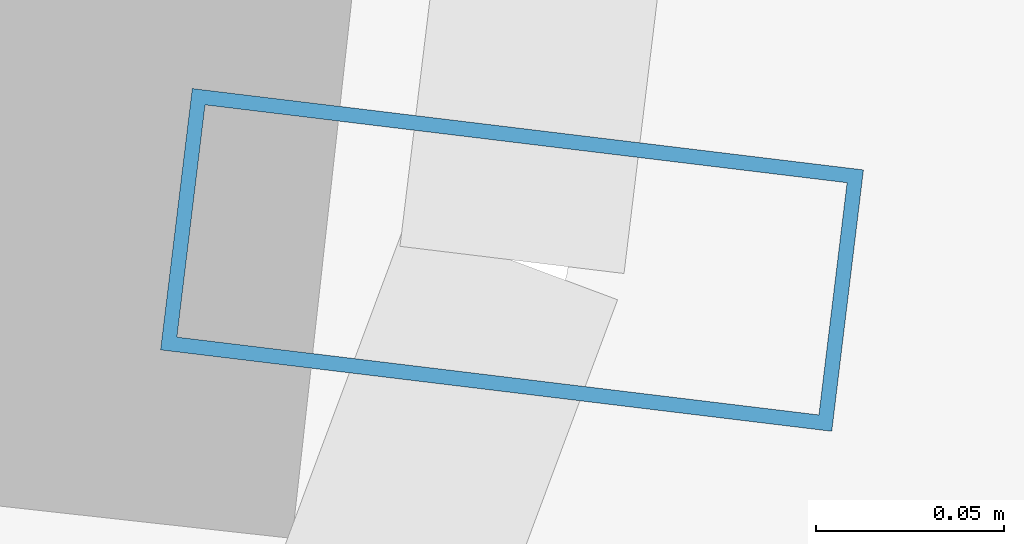
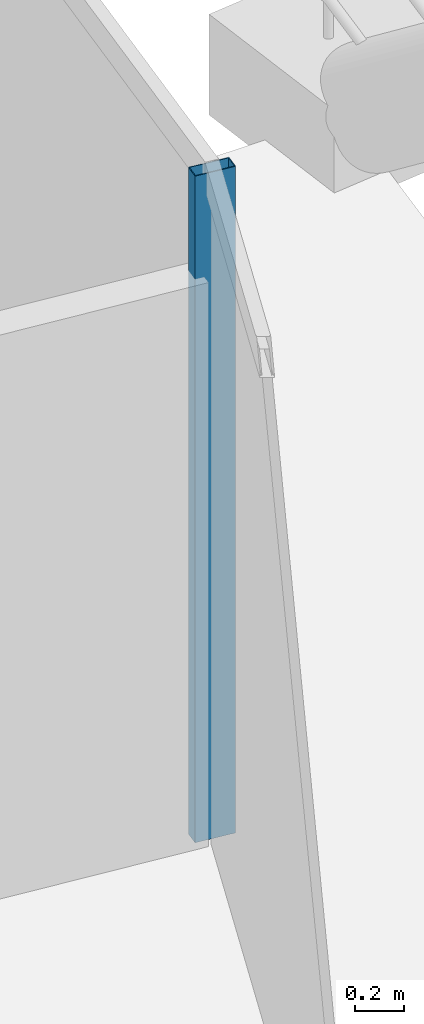
# One storey, part 8 of 20: 1 member, 1 element without a shape of its own.
"""IFC4 building model written with IfcOpenShell, lengths in metres."""

from ifc_helpers import new_model, si_unit, direction, frame, origin, origin_2d, place, context, subcontext, project, spatial, hollow_rectangle, extrude, material, layer, layer_set, material_profile, profile_set, type_object, element, aggregate, save


model = new_model("IFC4")

# Units and contexts
model_context = context("Model", 3, precision=1e-05, world=origin(), true_north=direction((0.0, 1.0)))
body_context = subcontext(model_context, "Body", "Model", "MODEL_VIEW")
ifc_project = project(units=[si_unit("LENGTHUNIT", "METRE"), si_unit("AREAUNIT", "SQUARE_METRE"), si_unit("VOLUMEUNIT", "CUBIC_METRE"), si_unit("PLANEANGLEUNIT", "RADIAN"), si_unit("MASSUNIT", "GRAM", prefix="KILO")], contexts=[model_context])

# Site, building, storey
site_placement = place(None, origin())
site = spatial("IfcSite", under=ifc_project, at=site_placement, CompositionType="ELEMENT")
building_placement = place(site_placement, origin())
building = spatial("IfcBuilding", under=site, at=building_placement, Name="Veldorina Hangang Commons", CompositionType="ELEMENT")
storey_placement = place(building_placement, frame((0.0, 0.0, 117.199951171875)))
storey = spatial("IfcBuildingStorey", under=building, at=storey_placement, Name="L29", CompositionType="ELEMENT", Elevation=117.199951171875)

# Curtain wall, member
ifc_material_1 = material(Name="Glass Low-E Triple IGU", Category="glass")
ifc_layer = layer(ifc_material_1, 0.179931640625)
ifc_layer_set = layer_set([ifc_layer], Name="Glass Low-E Triple IGU")
curtain_wall_type = type_object("IfcCurtainWallType", Name="CW-SYS-Z2", PredefinedType="NOTDEFINED", material=ifc_layer_set)
curtain_wall_placement = place(storey_placement, origin())
curtain_wall = element("IfcCurtainWall", 1, at=curtain_wall_placement, inside=storey, type_object=curtain_wall_type, Name="L29 unitised curtain wall CW-L29-R2", PredefinedType="NOTDEFINED")
ifc_material_2 = material(Name="Aluminium Anodized AA6063-T6", Category="aluminium")
ifc_material_profile = material_profile(ifc_material_2, hollow_rectangle(XDim=0.070068359375, YDim=0.179931640625, WallThickness=0.00390625, at=origin_2d()), Name="ALU-RHS-180x70x4")
ifc_profile_set = profile_set([ifc_material_profile], Name="Aluminium Anodized AA6063-T6")
member_type = type_object("IfcMemberType", Name="CW-MUL-180", PredefinedType="MULLION", material=ifc_profile_set)
member_placement = place(storey_placement, frame((57.683349609375, 19.849609375, 0.0), z_axis=(0.0, 0.0, 1.0), x_axis=(0.120362085236, 0.992730058192, 0.0)))
member = element("IfcMember", 2, at=member_placement, type_object=member_type, Name="CW-L29-R2 vertical mullion 3", PredefinedType="MULLION", context=body_context, shape_type="SweptSolid", body=[
    extrude(hollow_rectangle(XDim=0.070068359375, YDim=0.179931640625, WallThickness=0.00390625, at=origin_2d()), origin(), (0.0, 0.0, 1.0), 3.31005859375),
])
aggregate(curtain_wall, [member])

save(model, "model.ifc")
